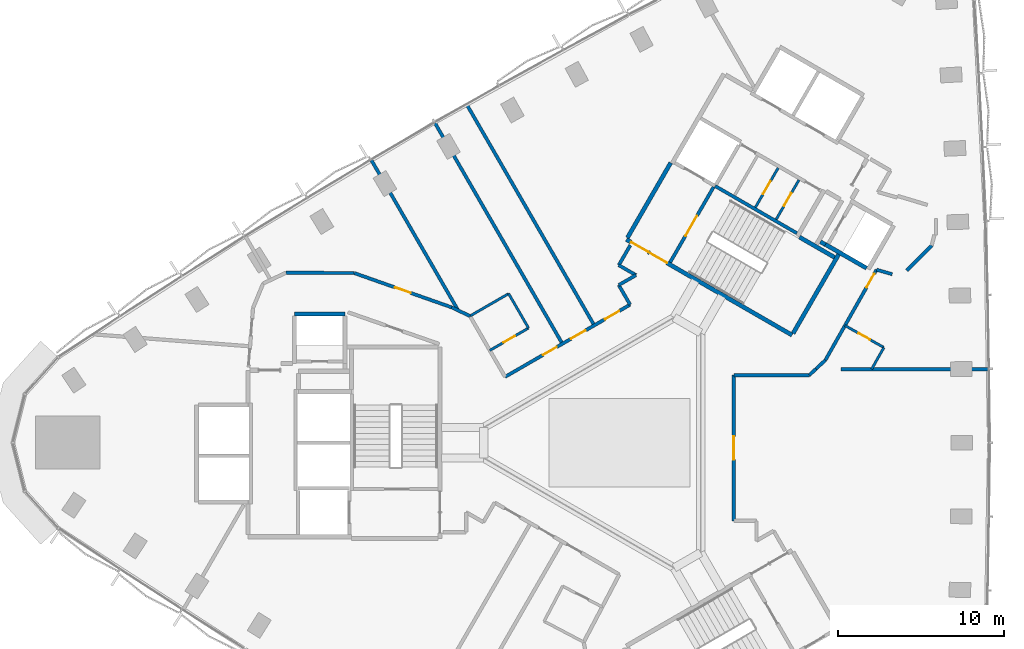
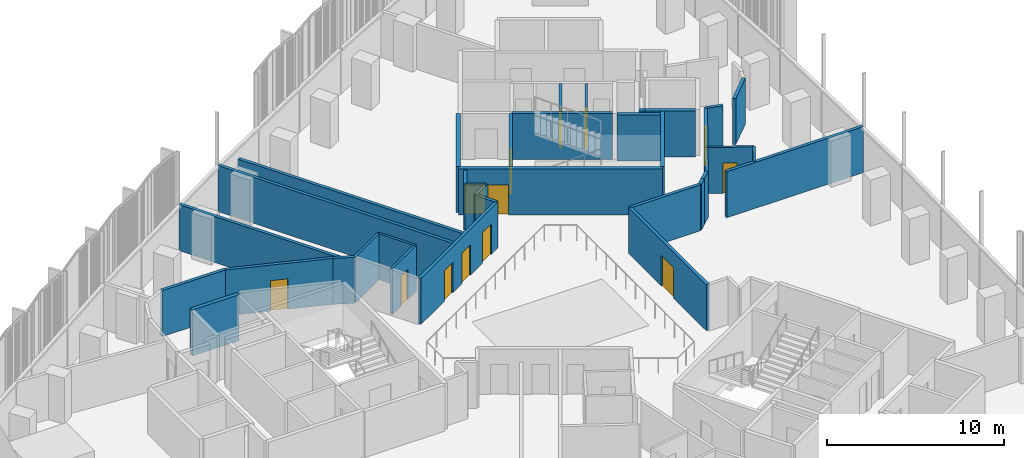
# One storey, part 10 of 15: 35 walls, 13 doors, 13 openings.
"""IFC4 building model written with IfcOpenShell, lengths in metres."""

import ifcopenshell
import ifcopenshell.guid

model = None  # the IFC model being written
_history = None  # IfcOwnerHistory: only IFC2X3 demands one
_inside = {}  # id of a spatial element -> (the spatial element, [elements in it])
_under = {}  # id of a project, library or spatial element -> (it, [spatial elements below it])
_declared = {}  # id of a project -> (the project, [libraries it declares])
_typed = {}  # id of a type object -> (the type object, [elements of that type])
_made_of = {}  # id of a material, layer set ... -> (it, [elements and type objects made of it])


def new_model(schema):
    """Start an empty IFC model of exactly this schema.

    Asked for "IFC4X3", IfcOpenShell would pick the latest addendum, in which some entities
    have other attributes; the version numbers below select the first issue.
    IFC2X3 requires an IfcOwnerHistory on every rooted entity: one is made here for all.
    """
    global model, _history
    if schema == "IFC4X3":
        model = ifcopenshell.file(schema_version=(4, 3, 0, 0))
    else:
        model = ifcopenshell.file(schema=schema)
    _inside.clear()
    _under.clear()
    _declared.clear()
    _typed.clear()
    _made_of.clear()
    _history = None
    if model.schema == "IFC2X3":
        org = make("IfcOrganization", Name="unknown")
        user = make(
            "IfcPersonAndOrganization",
            ThePerson=make("IfcPerson", FamilyName="unknown"),
            TheOrganization=org,
        )
        app = make(
            "IfcApplication",
            ApplicationDeveloper=org,
            Version="unknown",
            ApplicationFullName="unknown",
            ApplicationIdentifier="unknown",
        )
        _history = make(
            "IfcOwnerHistory",
            OwningUser=user,
            OwningApplication=app,
            ChangeAction="ADDED",
            CreationDate=0,
        )
    return model


def make(cls, **values):
    """One entity of the class cls with the attributes given. An attribute that is None is left unset."""
    return model.create_entity(
        cls, **{name: value for name, value in values.items() if value is not None}
    )


def rooted(cls, **values):
    """An entity with a GlobalId (a new one), such as an element, a storey or a relation."""
    return make(cls, GlobalId=ifcopenshell.guid.new(), OwnerHistory=_history, **values)


def si_unit(unit_type, name, prefix=None):
    """IfcSIUnit, for example si_unit("LENGTHUNIT", "METRE", prefix="MILLI")."""
    return make("IfcSIUnit", UnitType=unit_type, Prefix=prefix, Name=name)


def assignment(units):
    """IfcUnitAssignment: the units of a project."""
    return None if units is None else make("IfcUnitAssignment", Units=units)


def point(xyz):
    """IfcCartesianPoint."""
    return None if xyz is None else make("IfcCartesianPoint", Coordinates=xyz)


def direction(xyz):
    """IfcDirection."""
    return None if xyz is None else make("IfcDirection", DirectionRatios=xyz)


def frame(location, z_axis=None, x_axis=None):
    """IfcAxis2Placement3D, a coordinate frame: its origin and axes. An axis left out is left unset."""
    return make(
        "IfcAxis2Placement3D",
        Location=point(location),
        Axis=direction(z_axis),
        RefDirection=direction(x_axis),
    )


def frame_2d(location, x_axis=None):
    """IfcAxis2Placement2D, a coordinate frame in the plane: its origin and x axis."""
    return make(
        "IfcAxis2Placement2D", Location=point(location), RefDirection=direction(x_axis)
    )


def origin():
    """The frame at (0, 0, 0) with its axes left unset."""
    return frame((0.0, 0.0, 0.0))


def place(relative_to, where):
    """IfcLocalPlacement: puts the frame where relative to a parent placement (None: the world)."""
    return make(
        "IfcLocalPlacement", PlacementRelTo=relative_to, RelativePlacement=where
    )


def context(
    kind, dimensions, precision=None, world=None, true_north=None, identifier=None
):
    """IfcGeometricRepresentationContext, for example the 3D "Model" context."""
    return make(
        "IfcGeometricRepresentationContext",
        ContextIdentifier=identifier,
        ContextType=kind,
        CoordinateSpaceDimension=dimensions,
        Precision=precision,
        WorldCoordinateSystem=world,
        TrueNorth=true_north,
    )


def subcontext(parent, identifier, kind, view, scale=None):
    """IfcGeometricRepresentationSubContext, for example "Body" below "Model"."""
    return make(
        "IfcGeometricRepresentationSubContext",
        ContextIdentifier=identifier,
        ContextType=kind,
        ParentContext=parent,
        TargetScale=scale,
        TargetView=view,
    )


def project(units=None, contexts=None):
    """IfcProject with its units and contexts."""
    return rooted(
        "IfcProject",
        Name="project",
        RepresentationContexts=contexts,
        UnitsInContext=assignment(units),
    )


def spatial(cls, under=None, at=None, **own):
    """A site, building, storey or space (cls), placed at a placement, below another one or the project."""
    s = rooted(cls, ObjectPlacement=at, **own)
    if under is not None:
        _under.setdefault(under.id(), (under, []))[1].append(s)
    return s


def profile(cls, at=None, kind="AREA", **sizes):
    """A parametric profile (cls). Its sizes go by their IFC names, for example OverallWidth=200.0."""
    return make(cls, ProfileType=kind, Position=at, **sizes)


def rectangle(**sizes):
    """IfcRectangleProfileDef."""
    return profile("IfcRectangleProfileDef", **sizes)


def extrude(swept, where, along, depth):
    """IfcExtrudedAreaSolid: the profile swept, set in the frame where, extruded along a direction by depth."""
    return make(
        "IfcExtrudedAreaSolid",
        SweptArea=swept,
        Position=where,
        ExtrudedDirection=direction(along),
        Depth=depth,
    )


def shape(context_of_items, identifier, shape_type, items):
    """IfcShapeRepresentation: the items that make up one representation, for example the "Body"."""
    return make(
        "IfcShapeRepresentation",
        ContextOfItems=context_of_items,
        RepresentationIdentifier=identifier,
        RepresentationType=shape_type,
        Items=items,
    )


def material(Name=None, Category=None):
    """IfcMaterial."""
    return make("IfcMaterial", Name=Name, Category=Category)


def layer(
    of_material, thickness, ventilated=None, Name=None, Category=None, Priority=None
):
    """IfcMaterialLayer: one layer of a wall or slab, of a material (None: an air gap)."""
    return make(
        "IfcMaterialLayer",
        Material=of_material,
        LayerThickness=thickness,
        IsVentilated=ventilated,
        Name=Name,
        Category=Category,
        Priority=Priority,
    )


def layer_set(layers, Name=None):
    """IfcMaterialLayerSet."""
    return make("IfcMaterialLayerSet", MaterialLayers=layers, LayerSetName=Name)


def made_of(thing, what):
    """Note that an element or type object is made of a material, layer set ...; save() writes the relation."""
    if what is not None:
        _made_of.setdefault(what.id(), (what, []))[1].append(thing)
    return thing


def type_object(cls, material=None, **own):
    """A type object (cls), such as IfcWallType, which elements share."""
    return made_of(rooted(cls, **own), material)


def element(
    cls,
    number,
    at=None,
    inside=None,
    cuts=None,
    type_object=None,
    material=None,
    context=None,
    identifier="Body",
    shape_type=None,
    held_by="IfcProductDefinitionShape",
    body=None,
    shapes=None,
    **own,
):
    """One element of the class cls, such as IfcWall. Its Tag is "e" and its number.

    at: its placement. inside: the storey or other place that contains it. cuts: it is an
    opening in that element (IfcRelVoidsElement). A single representation is given by context,
    identifier, shape_type and body (its items); several are given by shapes. held_by: the class
    of the entity that holds the representations. save() writes the other relations.
    """
    e = rooted(cls, Tag="e%d" % number, ObjectPlacement=at, **own)
    if body is not None:
        shapes = [shape(context, identifier, shape_type, body)]
    if shapes is not None:
        e.Representation = make(held_by, Representations=shapes)
    if inside is not None:
        _inside.setdefault(inside.id(), (inside, []))[1].append(e)
    if cuts is not None:
        rooted(
            "IfcRelVoidsElement", RelatingBuildingElement=cuts, RelatedOpeningElement=e
        )
    if type_object is not None:
        _typed.setdefault(type_object.id(), (type_object, []))[1].append(e)
    return made_of(e, material)


def fill(opening, filler):
    """IfcRelFillsElement: the door or window that sits in an opening."""
    return rooted(
        "IfcRelFillsElement",
        RelatingOpeningElement=opening,
        RelatedBuildingElement=filler,
    )


def aggregate(whole, parts):
    """IfcRelAggregates: a whole, such as a stair, and the parts it consists of."""
    return rooted("IfcRelAggregates", RelatingObject=whole, RelatedObjects=parts)


def save(model, path):
    """Write the relations noted so far, then the file.

    IfcRelAggregates (storeys below a building ...), IfcRelContainedInSpatialStructure (elements
    in a storey), IfcRelDefinesByType, IfcRelAssociatesMaterial and IfcRelDeclares: one each for
    every whole, place, type object, material and project.
    """
    for whole, parts in _under.values():
        aggregate(whole, parts)
    for where, things in _inside.values():
        rooted(
            "IfcRelContainedInSpatialStructure",
            RelatedElements=things,
            RelatingStructure=where,
        )
    for kind, things in _typed.values():
        rooted("IfcRelDefinesByType", RelatedObjects=things, RelatingType=kind)
    for what, things in _made_of.values():
        rooted("IfcRelAssociatesMaterial", RelatedObjects=things, RelatingMaterial=what)
    for by, libraries in _declared.values():
        rooted("IfcRelDeclares", RelatingContext=by, RelatedDefinitions=libraries)
    model.write(path)


model = new_model("IFC4")

# Units and contexts
model_context = context("Model", 3, precision=1e-05, world=origin(), true_north=direction((0.0, 1.0)))
body_context = subcontext(model_context, "Body", "Model", "MODEL_VIEW")
ifc_project = project(units=[si_unit("LENGTHUNIT", "METRE"), si_unit("AREAUNIT", "SQUARE_METRE"), si_unit("VOLUMEUNIT", "CUBIC_METRE"), si_unit("PLANEANGLEUNIT", "RADIAN"), si_unit("MASSUNIT", "GRAM", prefix="KILO")], contexts=[model_context])

# Site, building, storey
site_placement = place(None, origin())
site = spatial("IfcSite", under=ifc_project, at=site_placement, CompositionType="ELEMENT")
building_placement = place(site_placement, origin())
building = spatial("IfcBuilding", under=site, at=building_placement, Name="Tamra Quay Hotel Tower", CompositionType="ELEMENT")
storey_placement = place(building_placement, frame((0.0, 0.0, 79.39990234375)))
storey = spatial("IfcBuildingStorey", under=building, at=storey_placement, Name="L18", CompositionType="ELEMENT", Elevation=79.39990234375)

# Wall
ifc_material_1 = material(Name="Concrete M70", Category="concrete")
ifc_layer_1 = layer(ifc_material_1, 0.199951171875)
ifc_layer_set_1 = layer_set([ifc_layer_1], Name="Concrete M70 core wall 200")
wall_type_1 = type_object("IfcWallType", Name="Concrete M70 core wall 200", PredefinedType="SHEAR", material=ifc_layer_set_1)
wall_1_placement = place(storey_placement, frame((5.774658203125, 15.501953125, 0.0), z_axis=(0.0, 0.0, 1.0), x_axis=(0.866020080793, -0.500009219579, 0.0)))
element("IfcWall", 1, at=wall_1_placement, inside=storey, type_object=wall_type_1, Name="CW2", PredefinedType="SHEAR", context=body_context, shape_type="SweptSolid", body=[
    extrude(rectangle(XDim=5.69921875, YDim=0.199951171875, at=frame_2d((2.849609375, 0.0))), origin(), (0.0, 0.0, 1.0), 3.175048828125),
])

# Wall, opening, door
wall_2_placement = place(storey_placement, frame((3.056640625, 10.89453125, 0.0), z_axis=(0.0, 0.0, 1.0), x_axis=(0.499989418164, 0.866031513124, 0.0)))
wall_2 = element("IfcWall", 2, at=wall_2_placement, inside=storey, type_object=wall_type_1, Name="CW2", PredefinedType="SHEAR", context=body_context, shape_type="SweptSolid", body=[
    extrude(rectangle(XDim=5.2509765625, YDim=0.199951171875, at=frame_2d((2.62548828125, 0.0))), origin(), (0.0, 0.0, 1.0), 3.175048828125),
])
opening_1_placement = place(wall_2_placement, frame((1.84912109375, 0.0, 0.0)))
opening_1 = element("IfcOpeningElement", 3, at=opening_1_placement, cuts=wall_2, Name="Opening FD2", PredefinedType="OPENING", context=body_context, shape_type="SweptSolid", body=[
    extrude(rectangle(XDim=1.39990234375, YDim=2.10009765625, at=frame_2d((0.699951171875, 1.050048828125))), frame((0.0, 0.10986328125, 0.0), z_axis=(0.0, -1.0, 0.0), x_axis=(1.0, 0.0, 0.0)), (0.0, 0.0, 1.0), 0.219970703125),
])
ifc_material_2 = material(Name="Core door FD2 1400x2100 RH")
door_type_1 = type_object("IfcDoorType", Name="Core door FD2 1400x2100 RH", OperationType="NOTDEFINED", PredefinedType="DOOR", material=ifc_material_2)
door_1_placement = place(opening_1_placement, origin())
door_1 = element("IfcDoor", 4, at=door_1_placement, inside=storey, type_object=door_type_1, Name="FD2", OperationType="SINGLE_SWING_RIGHT", OverallHeight=2.10009765625, OverallWidth=1.39990234375, PredefinedType="DOOR", context=body_context, shape_type="SweptSolid", body=[
    extrude(rectangle(XDim=1.39990234375, YDim=2.10009765625, at=frame_2d((0.699951171875, 1.050048828125))), frame((0.0, 0.02490234375, 0.0), z_axis=(0.0, -1.0, 0.0), x_axis=(1.0, 0.0, 0.0)), (0.0, 0.0, 1.0), 0.050048828125),
])
fill(opening_1, door_1)

# Wall
ifc_layer_2 = layer(ifc_material_1, 0.25)
ifc_layer_set_2 = layer_set([ifc_layer_2], Name="Concrete M70 core wall 250")
wall_type_2 = type_object("IfcWallType", Name="Concrete M70 core wall 250", PredefinedType="SHEAR", material=ifc_layer_set_2)
wall_3_placement = place(storey_placement, frame((-19.63720703125, 7.77490234375, 0.0), z_axis=(0.0, 0.0, 1.0), x_axis=(1.0, 0.0, 0.0)))
element("IfcWall", 5, at=wall_3_placement, inside=storey, type_object=wall_type_2, Name="CW1", PredefinedType="SHEAR", context=body_context, shape_type="SweptSolid", body=[
    extrude(rectangle(XDim=3.0498046875, YDim=0.25, at=frame_2d((1.52490234375, 0.0))), origin(), (0.0, 0.0, 1.0), 3.175048828125),
])

# Wall, openings, doors
wall_4_placement = place(storey_placement, frame((10.419921875, 6.497802734375, 0.0), z_axis=(0.0, 0.0, 1.0), x_axis=(-0.866021906294, 0.500006057782, 0.0)))
wall_4 = element("IfcWall", 6, at=wall_4_placement, inside=storey, type_object=wall_type_2, Name="CW1", PredefinedType="SHEAR", context=body_context, shape_type="SweptSolid", body=[
    extrude(rectangle(XDim=11.550048828125, YDim=0.25, at=frame_2d((5.77490234375, 0.0))), origin(), (0.0, 0.0, 1.0), 3.175048828125),
])
opening_2_placement = place(wall_4_placement, frame((10.02490234375, 0.0, 0.0)))
opening_2 = element("IfcOpeningElement", 7, at=opening_2_placement, cuts=wall_4, Name="Opening FD1", PredefinedType="OPENING", context=body_context, shape_type="SweptSolid", body=[
    extrude(rectangle(XDim=1.199951171875, YDim=2.10009765625, at=frame_2d((0.60009765625, 1.050048828125))), frame((0.0, 0.135009765625, 0.0), z_axis=(0.0, -1.0, 0.0), x_axis=(1.0, 0.0, 0.0)), (0.0, 0.0, 1.0), 0.27001953125),
])
opening_3_placement = place(wall_4_placement, frame((8.724853515625, 0.0, 0.0)))
opening_3 = element("IfcOpeningElement", 8, at=opening_3_placement, cuts=wall_4, Name="Opening FD1", PredefinedType="OPENING", context=body_context, shape_type="SweptSolid", body=[
    extrude(rectangle(XDim=1.199951171875, YDim=2.10009765625, at=frame_2d((0.60009765625, 1.050048828125))), frame((0.0, 0.135009765625, 0.0), z_axis=(0.0, -1.0, 0.0), x_axis=(1.0, 0.0, 0.0)), (0.0, 0.0, 1.0), 0.27001953125),
])
ifc_material_3 = material(Name="Core door FD1 1200x2100 LH")
door_type_2 = type_object("IfcDoorType", Name="Core door FD1 1200x2100 LH", OperationType="NOTDEFINED", PredefinedType="DOOR", material=ifc_material_3)
door_2_placement = place(opening_2_placement, origin())
door_2 = element("IfcDoor", 9, at=door_2_placement, inside=storey, type_object=door_type_2, Name="FD1", OperationType="SINGLE_SWING_LEFT", OverallHeight=2.10009765625, OverallWidth=1.199951171875, PredefinedType="DOOR", context=body_context, shape_type="SweptSolid", body=[
    extrude(rectangle(XDim=1.199951171875, YDim=2.10009765625, at=frame_2d((0.60009765625, 1.050048828125))), frame((0.0, 0.02490234375, 0.0), z_axis=(0.0, -1.0, 0.0), x_axis=(1.0, 0.0, 0.0)), (0.0, 0.0, 1.0), 0.050048828125),
])
fill(opening_2, door_2)
ifc_material_4 = material(Name="Core door FD1 1200x2100 RH")
door_type_3 = type_object("IfcDoorType", Name="Core door FD1 1200x2100 RH", OperationType="NOTDEFINED", PredefinedType="DOOR", material=ifc_material_4)
door_3_placement = place(opening_3_placement, origin())
door_3 = element("IfcDoor", 10, at=door_3_placement, inside=storey, type_object=door_type_3, Name="FD1", OperationType="SINGLE_SWING_RIGHT", OverallHeight=2.10009765625, OverallWidth=1.199951171875, PredefinedType="DOOR", context=body_context, shape_type="SweptSolid", body=[
    extrude(rectangle(XDim=1.199951171875, YDim=2.10009765625, at=frame_2d((0.60009765625, 1.050048828125))), frame((0.0, 0.02490234375, 0.0), z_axis=(0.0, -1.0, 0.0), x_axis=(1.0, 0.0, 0.0)), (0.0, 0.0, 1.0), 0.050048828125),
])
fill(opening_3, door_3)

# Walls
wall_5_placement = place(storey_placement, frame((0.47998046875, 12.38134765625, 0.0), z_axis=(0.0, 0.0, 1.0), x_axis=(0.49999885962, 0.866026062182, 0.0)))
element("IfcWall", 11, at=wall_5_placement, inside=storey, type_object=wall_type_2, Name="CW1", PredefinedType="SHEAR", context=body_context, shape_type="SweptSolid", body=[
    extrude(rectangle(XDim=5.224609375, YDim=0.25, at=frame_2d((2.6123046875, 0.0))), origin(), (0.0, 0.0, 1.0), 3.175048828125),
])
wall_6_placement = place(storey_placement, frame((13.237548828125, 11.3779296875, 0.0), z_axis=(0.0, 0.0, 1.0), x_axis=(-0.500008851346, -0.866020293397, 0.0)))
element("IfcWall", 12, at=wall_6_placement, inside=storey, type_object=wall_type_2, Name="CW1", PredefinedType="SHEAR", context=body_context, shape_type="SweptSolid", body=[
    extrude(rectangle(XDim=5.509765625, YDim=0.25, at=frame_2d((2.7548828125, 0.0))), origin(), (0.0, 0.0, 1.0), 3.175048828125),
])
wall_7_placement = place(storey_placement, frame((14.91845703125, 10.540283203125, 0.0), z_axis=(0.0, 0.0, 1.0), x_axis=(-0.866063538972, 0.499933942099, 0.0)))
element("IfcWall", 13, at=wall_7_placement, inside=storey, type_object=wall_type_2, Name="CW1", PredefinedType="SHEAR", context=body_context, shape_type="SweptSolid", body=[
    extrude(rectangle(XDim=2.86474609375, YDim=0.25, at=frame_2d((1.432373046875, 0.0))), origin(), (0.0, 0.0, 1.0), 3.175048828125),
])
wall_8_placement = place(storey_placement, frame((10.865234375, 12.41845703125, 0.0), z_axis=(0.0, 0.0, 1.0), x_axis=(0.866026229868, -0.499998569178, 0.0)))
element("IfcWall", 14, at=wall_8_placement, inside=storey, type_object=wall_type_2, Name="CW1", PredefinedType="SHEAR", context=body_context, shape_type="SweptSolid", body=[
    extrude(rectangle(XDim=2.44921875, YDim=0.25, at=frame_2d((1.224609375, 0.0))), origin(), (0.0, 0.0, 1.0), 3.175048828125),
])
wall_9_placement = place(storey_placement, frame((12.4326171875, 11.9638671875, 0.0), z_axis=(0.0, 0.0, 1.0), x_axis=(-0.866055875208, 0.499947218231, 0.0)))
element("IfcWall", 15, at=wall_9_placement, inside=storey, type_object=wall_type_2, Name="CW1", PredefinedType="SHEAR", context=body_context, shape_type="SweptSolid", body=[
    extrude(rectangle(XDim=0.3447265625, YDim=0.25, at=frame_2d((0.17236328125, 0.0))), origin(), (0.0, 0.0, 1.0), 3.175048828125),
])

# Wall, opening, door
ifc_material_5 = material(Name="Blockwork", Category="masonry")
ifc_layer_3 = layer(ifc_material_5, 0.14990234375)
ifc_layer_set_3 = layer_set([ifc_layer_3], Name="Core partition block 150")
wall_type_3 = type_object("IfcWallType", Name="Core partition block 150", PredefinedType="PARTITIONING", material=ifc_layer_set_3)
wall_10_placement = place(storey_placement, frame((9.462158203125, 13.4892578125, 0.0), z_axis=(0.0, 0.0, 1.0), x_axis=(0.50002746344, 0.86600954718, 0.0)))
wall_10 = element("IfcWall", 16, at=wall_10_placement, inside=storey, type_object=wall_type_3, Name="CP1", PredefinedType="PARTITIONING", context=body_context, shape_type="SweptSolid", body=[
    extrude(rectangle(XDim=2.748291015625, YDim=0.14990234375, at=frame_2d((1.3740234375, 0.0))), origin(), (0.0, 0.0, 1.0), 3.175048828125),
])
opening_4_placement = place(wall_10_placement, frame((0.92431640625, 0.0, 0.0)))
opening_4 = element("IfcOpeningElement", 17, at=opening_4_placement, cuts=wall_10, Name="Opening D2", PredefinedType="OPENING", context=body_context, shape_type="SweptSolid", body=[
    extrude(rectangle(XDim=0.89990234375, YDim=2.10009765625, at=frame_2d((0.449951171875, 1.050048828125))), frame((0.0, 0.0849609375, 0.0), z_axis=(0.0, -1.0, 0.0), x_axis=(1.0, 0.0, 0.0)), (0.0, 0.0, 1.0), 0.169921875),
])
ifc_material_6 = material(Name="Core door D2 900x2100 RH")
door_type_4 = type_object("IfcDoorType", Name="Core door D2 900x2100 RH", OperationType="NOTDEFINED", PredefinedType="DOOR", material=ifc_material_6)
door_4_placement = place(opening_4_placement, origin())
door_4 = element("IfcDoor", 18, at=door_4_placement, inside=storey, type_object=door_type_4, Name="D2", OperationType="SINGLE_SWING_RIGHT", OverallHeight=2.10009765625, OverallWidth=0.89990234375, PredefinedType="DOOR", context=body_context, shape_type="SweptSolid", body=[
    extrude(rectangle(XDim=0.89990234375, YDim=2.10009765625, at=frame_2d((0.449951171875, 1.050048828125))), frame((0.0, 0.02490234375, 0.0), z_axis=(0.0, -1.0, 0.0), x_axis=(1.0, 0.0, 0.0)), (0.0, 0.0, 1.0), 0.050048828125),
])
fill(opening_4, door_4)

wall_11_placement = place(storey_placement, frame((8.20654296875, 14.214111328125, 0.0), z_axis=(0.0, 0.0, 1.0), x_axis=(0.499922376475, 0.866070215109, 0.0)))
wall_11 = element("IfcWall", 19, at=wall_11_placement, inside=storey, type_object=wall_type_3, Name="CP1", PredefinedType="PARTITIONING", context=body_context, shape_type="SweptSolid", body=[
    extrude(rectangle(XDim=2.74853515625, YDim=0.14990234375, at=frame_2d((1.374267578125, 0.0))), origin(), (0.0, 0.0, 1.0), 3.175048828125),
])
opening_5_placement = place(wall_11_placement, frame((0.92431640625, 0.0, 0.0)))
opening_5 = element("IfcOpeningElement", 20, at=opening_5_placement, cuts=wall_11, Name="Opening D2", PredefinedType="OPENING", context=body_context, shape_type="SweptSolid", body=[
    extrude(rectangle(XDim=0.89990234375, YDim=2.10009765625, at=frame_2d((0.449951171875, 1.050048828125))), frame((0.0, 0.0849609375, 0.0), z_axis=(0.0, -1.0, 0.0), x_axis=(1.0, 0.0, 0.0)), (0.0, 0.0, 1.0), 0.169921875),
])
ifc_material_7 = material(Name="Core door D2 900x2100 LH")
door_type_5 = type_object("IfcDoorType", Name="Core door D2 900x2100 LH", OperationType="NOTDEFINED", PredefinedType="DOOR", material=ifc_material_7)
door_5_placement = place(opening_5_placement, origin())
door_5 = element("IfcDoor", 21, at=door_5_placement, inside=storey, type_object=door_type_5, Name="D2", OperationType="SINGLE_SWING_LEFT", OverallHeight=2.10009765625, OverallWidth=0.89990234375, PredefinedType="DOOR", context=body_context, shape_type="SweptSolid", body=[
    extrude(rectangle(XDim=0.89990234375, YDim=2.10009765625, at=frame_2d((0.449951171875, 1.050048828125))), frame((0.0, 0.02490234375, 0.0), z_axis=(0.0, -1.0, 0.0), x_axis=(1.0, 0.0, 0.0)), (0.0, 0.0, 1.0), 0.050048828125),
])
fill(opening_5, door_5)

# Wall
ifc_material_8 = material(Name="Partition corridor wall")
ifc_layer_4 = layer(ifc_material_8, 0.199951171875)
ifc_layer_set_4 = layer_set([ifc_layer_4], Name="Partition corridor wall")
wall_type_4 = type_object("IfcWallType", Name="Partition corridor wall", PredefinedType="PARTITIONING", material=ifc_layer_set_4)
wall_12_placement = place(storey_placement, frame((-20.14306640625, 10.26611328125, 0.0), z_axis=(0.0, 0.0, 1.0), x_axis=(0.999989297417, -0.004626559416, 0.0)))
element("IfcWall", 22, at=wall_12_placement, inside=storey, type_object=wall_type_4, Name="W-C", PredefinedType="PARTITIONING", context=body_context, shape_type="SweptSolid", body=[
    extrude(rectangle(XDim=4.115966796875, YDim=0.199951171875, at=frame_2d((2.05810546875, 0.0))), origin(), (0.0, 0.0, 1.0), 3.175048828125),
])

# Wall, opening, door
wall_13_placement = place(storey_placement, frame((-16.02587890625, 10.2470703125, 0.0), z_axis=(0.0, 0.0, 1.0), x_axis=(0.943302857381, -0.331933305434, 0.0)))
wall_13 = element("IfcWall", 23, at=wall_13_placement, inside=storey, type_object=wall_type_4, Name="W-C", PredefinedType="PARTITIONING", context=body_context, shape_type="SweptSolid", body=[
    extrude(rectangle(XDim=6.236328125, YDim=0.199951171875, at=frame_2d((3.1181640625, 0.0))), origin(), (0.0, 0.0, 1.0), 3.175048828125),
])
opening_6_placement = place(wall_13_placement, frame((2.618408203125, 0.0, 0.0)))
opening_6 = element("IfcOpeningElement", 24, at=opening_6_placement, cuts=wall_13, Name="Opening L18-D009", PredefinedType="OPENING", context=body_context, shape_type="SweptSolid", body=[
    extrude(rectangle(XDim=1.0, YDim=2.10009765625, at=frame_2d((0.5, 1.050048828125))), frame((0.0, 0.10986328125, 0.0), z_axis=(0.0, -1.0, 0.0), x_axis=(1.0, 0.0, 0.0)), (0.0, 0.0, 1.0), 0.219970703125),
])
ifc_material_9 = material(Name="Door guest room 1000x2100")
door_type_6 = type_object("IfcDoorType", Name="Door guest room 1000x2100", OperationType="NOTDEFINED", PredefinedType="DOOR", material=ifc_material_9)
door_6_placement = place(opening_6_placement, origin())
door_6 = element("IfcDoor", 25, at=door_6_placement, inside=storey, type_object=door_type_6, Name="L18-D009", OperationType="SINGLE_SWING_LEFT", OverallHeight=2.10009765625, OverallWidth=1.0, PredefinedType="DOOR", context=body_context, shape_type="SweptSolid", body=[
    extrude(rectangle(XDim=1.0, YDim=2.10009765625, at=frame_2d((0.5, 1.050048828125))), frame((0.0, 0.02490234375, 0.0), z_axis=(0.0, -1.0, 0.0), x_axis=(1.0, 0.0, 0.0)), (0.0, 0.0, 1.0), 0.050048828125),
])
fill(opening_6, door_6)

# Wall
wall_14_placement = place(storey_placement, frame((-10.14306640625, 8.1767578125, 0.0), z_axis=(0.0, 0.0, 1.0), x_axis=(0.904109978004, -0.427299833458, 0.0)))
element("IfcWall", 26, at=wall_14_placement, inside=storey, type_object=wall_type_4, Name="W-C", PredefinedType="PARTITIONING", context=body_context, shape_type="SweptSolid", body=[
    extrude(rectangle(XDim=1.227783203125, YDim=0.199951171875, at=frame_2d((0.61376953125, 0.0))), origin(), (0.0, 0.0, 1.0), 3.175048828125),
])

# Wall, openings, doors
wall_15_placement = place(storey_placement, frame((-6.9111328125, 3.977294921875, 0.0), z_axis=(0.0, 0.0, 1.0), x_axis=(0.86601303132, 0.500021429124, 0.0)))
wall_15 = element("IfcWall", 27, at=wall_15_placement, inside=storey, type_object=wall_type_4, Name="W-C", PredefinedType="PARTITIONING", context=body_context, shape_type="SweptSolid", body=[
    extrude(rectangle(XDim=8.7177734375, YDim=0.199951171875, at=frame_2d((4.35888671875, 0.0))), origin(), (0.0, 0.0, 1.0), 3.175048828125),
])
opening_7_placement = place(wall_15_placement, frame((4.608154296875, 0.0, 0.0)))
opening_7 = element("IfcOpeningElement", 28, at=opening_7_placement, cuts=wall_15, Name="Opening L18-D004", PredefinedType="OPENING", context=body_context, shape_type="SweptSolid", body=[
    extrude(rectangle(XDim=1.0, YDim=2.10009765625, at=frame_2d((0.5, 1.050048828125))), frame((0.0, 0.10986328125, 0.0), z_axis=(0.0, -1.0, 0.0), x_axis=(1.0, 0.0, 0.0)), (0.0, 0.0, 1.0), 0.219970703125),
])
opening_8_placement = place(wall_15_placement, frame((6.96240234375, 0.0, 0.0)))
opening_8 = element("IfcOpeningElement", 29, at=opening_8_placement, cuts=wall_15, Name="Opening L18-D005", PredefinedType="OPENING", context=body_context, shape_type="SweptSolid", body=[
    extrude(rectangle(XDim=1.0, YDim=2.10009765625, at=frame_2d((0.5, 1.050048828125))), frame((0.0, 0.10986328125, 0.0), z_axis=(0.0, -1.0, 0.0), x_axis=(1.0, 0.0, 0.0)), (0.0, 0.0, 1.0), 0.219970703125),
])
opening_9_placement = place(wall_15_placement, frame((2.64990234375, 0.0, 0.0)))
opening_9 = element("IfcOpeningElement", 30, at=opening_9_placement, cuts=wall_15, Name="Opening L18-D006", PredefinedType="OPENING", context=body_context, shape_type="SweptSolid", body=[
    extrude(rectangle(XDim=0.949951171875, YDim=2.10009765625, at=frame_2d((0.47509765625, 1.050048828125))), frame((0.0, 0.10986328125, 0.0), z_axis=(0.0, -1.0, 0.0), x_axis=(1.0, 0.0, 0.0)), (0.0, 0.0, 1.0), 0.219970703125),
])
door_7_placement = place(opening_7_placement, origin())
door_7 = element("IfcDoor", 31, at=door_7_placement, inside=storey, type_object=door_type_6, Name="L18-D004", OperationType="SINGLE_SWING_LEFT", OverallHeight=2.10009765625, OverallWidth=1.0, PredefinedType="DOOR", context=body_context, shape_type="SweptSolid", body=[
    extrude(rectangle(XDim=1.0, YDim=2.10009765625, at=frame_2d((0.5, 1.050048828125))), frame((0.0, 0.02490234375, 0.0), z_axis=(0.0, -1.0, 0.0), x_axis=(1.0, 0.0, 0.0)), (0.0, 0.0, 1.0), 0.050048828125),
])
fill(opening_7, door_7)
door_8_placement = place(opening_8_placement, origin())
door_8 = element("IfcDoor", 32, at=door_8_placement, inside=storey, type_object=door_type_6, Name="L18-D005", OperationType="SINGLE_SWING_LEFT", OverallHeight=2.10009765625, OverallWidth=1.0, PredefinedType="DOOR", context=body_context, shape_type="SweptSolid", body=[
    extrude(rectangle(XDim=1.0, YDim=2.10009765625, at=frame_2d((0.5, 1.050048828125))), frame((0.0, 0.02490234375, 0.0), z_axis=(0.0, -1.0, 0.0), x_axis=(1.0, 0.0, 0.0)), (0.0, 0.0, 1.0), 0.050048828125),
])
fill(opening_8, door_8)
ifc_material_10 = material(Name="Door guest room 950x2100")
door_type_7 = type_object("IfcDoorType", Name="Door guest room 950x2100", OperationType="NOTDEFINED", PredefinedType="DOOR", material=ifc_material_10)
door_9_placement = place(opening_9_placement, origin())
door_9 = element("IfcDoor", 33, at=door_9_placement, inside=storey, type_object=door_type_7, Name="L18-D006", OperationType="SINGLE_SWING_LEFT", OverallHeight=2.10009765625, OverallWidth=0.949951171875, PredefinedType="DOOR", context=body_context, shape_type="SweptSolid", body=[
    extrude(rectangle(XDim=0.949951171875, YDim=2.10009765625, at=frame_2d((0.47509765625, 1.050048828125))), frame((0.0, 0.02490234375, 0.0), z_axis=(0.0, -1.0, 0.0), x_axis=(1.0, 0.0, 0.0)), (0.0, 0.0, 1.0), 0.050048828125),
])
fill(opening_9, door_9)

# Walls
wall_16_placement = place(storey_placement, frame((-0.044921875, 9.52099609375, 0.0), z_axis=(0.0, 0.0, 1.0), x_axis=(0.499804837697, -0.866138051476, 0.0)))
element("IfcWall", 34, at=wall_16_placement, inside=storey, type_object=wall_type_4, Name="W-C", PredefinedType="PARTITIONING", context=body_context, shape_type="SweptSolid", body=[
    extrude(rectangle(XDim=1.3681640625, YDim=0.199951171875, at=frame_2d((0.68408203125, 0.0))), origin(), (0.0, 0.0, 1.0), 3.175048828125),
])
wall_17_placement = place(storey_placement, frame((-0.044921875, 9.52197265625, 0.0), z_axis=(0.0, 0.0, 1.0), x_axis=(0.86625675314, 0.499599076899, 0.0)))
element("IfcWall", 35, at=wall_17_placement, inside=storey, type_object=wall_type_4, Name="W-C", PredefinedType="PARTITIONING", context=body_context, shape_type="SweptSolid", body=[
    extrude(rectangle(XDim=1.19921875, YDim=0.199951171875, at=frame_2d((0.599609375, 0.0))), origin(), (0.0, 0.0, 1.0), 3.175048828125),
])
wall_18_placement = place(storey_placement, frame((-0.044921875, 10.721923828125, 0.0), z_axis=(0.0, 0.0, 1.0), x_axis=(0.500107785535, 0.865963164833, 0.0)))
element("IfcWall", 36, at=wall_18_placement, inside=storey, type_object=wall_type_4, Name="W-C", PredefinedType="PARTITIONING", context=body_context, shape_type="SweptSolid", body=[
    extrude(rectangle(XDim=1.389404296875, YDim=0.199951171875, at=frame_2d((0.69482421875, 0.0))), origin(), (0.0, 0.0, 1.0), 3.175048828125),
])
wall_19_placement = place(storey_placement, frame((-0.044921875, 10.720947265625, 0.0), z_axis=(0.0, 0.0, 1.0), x_axis=(0.865992388649, -0.500057179532, 0.0)))
element("IfcWall", 37, at=wall_19_placement, inside=storey, type_object=wall_type_4, Name="W-C", PredefinedType="PARTITIONING", context=body_context, shape_type="SweptSolid", body=[
    extrude(rectangle(XDim=1.199462890625, YDim=0.199951171875, at=frame_2d((0.599609375, 0.0))), origin(), (0.0, 0.0, 1.0), 3.175048828125),
])

# Wall, opening, door
wall_20_placement = place(storey_placement, frame((6.89990234375, -4.720947265625, 0.0), z_axis=(0.0, 0.0, 1.0), x_axis=(0.0, 1.0, 0.0)))
wall_20 = element("IfcWall", 38, at=wall_20_placement, inside=storey, type_object=wall_type_4, Name="W-C", PredefinedType="PARTITIONING", context=body_context, shape_type="SweptSolid", body=[
    extrude(rectangle(XDim=8.798828125, YDim=0.199951171875, at=frame_2d((4.3994140625, 0.0))), origin(), (0.0, 0.0, 1.0), 3.175048828125),
])
opening_10_placement = place(wall_20_placement, frame((3.699462890625, 0.0, 0.0)))
opening_10 = element("IfcOpeningElement", 39, at=opening_10_placement, cuts=wall_20, Name="Opening L18-D001", PredefinedType="OPENING", context=body_context, shape_type="SweptSolid", body=[
    extrude(rectangle(XDim=1.39990234375, YDim=2.10009765625, at=frame_2d((0.699951171875, 1.050048828125))), frame((0.0, 0.10986328125, 0.0), z_axis=(0.0, -1.0, 0.0), x_axis=(1.0, 0.0, 0.0)), (0.0, 0.0, 1.0), 0.219970703125),
])
ifc_material_11 = material(Name="Door double leaf 1400x2100")
door_type_8 = type_object("IfcDoorType", Name="Door double leaf 1400x2100", OperationType="DOUBLE_DOOR_SINGLE_SWING", PredefinedType="DOOR", material=ifc_material_11)
door_10_placement = place(opening_10_placement, frame((1.39990234375, 0.0, 0.0), z_axis=(0.0, 0.0, 1.0), x_axis=(-1.0, 0.0, 0.0)))
door_10 = element("IfcDoor", 40, at=door_10_placement, inside=storey, type_object=door_type_8, Name="L18-D001", OperationType="DOUBLE_DOOR_SINGLE_SWING", OverallHeight=2.10009765625, OverallWidth=1.39990234375, PredefinedType="DOOR", context=body_context, shape_type="SweptSolid", body=[
    extrude(rectangle(XDim=1.39990234375, YDim=2.10009765625, at=frame_2d((0.699951171875, 1.050048828125))), frame((0.0, 0.02490234375, 0.0), z_axis=(0.0, -1.0, 0.0), x_axis=(1.0, 0.0, 0.0)), (0.0, 0.0, 1.0), 0.050048828125),
])
fill(opening_10, door_10)

# Walls
wall_21_placement = place(storey_placement, frame((6.89990234375, 4.077880859375, 0.0), z_axis=(0.0, 0.0, 1.0), x_axis=(1.0, 0.0, 0.0)))
element("IfcWall", 41, at=wall_21_placement, inside=storey, type_object=wall_type_4, Name="W-C", PredefinedType="PARTITIONING", context=body_context, shape_type="SweptSolid", body=[
    extrude(rectangle(XDim=4.55810546875, YDim=0.199951171875, at=frame_2d((2.279052734375, 0.0))), origin(), (0.0, 0.0, 1.0), 3.175048828125),
])
wall_22_placement = place(storey_placement, frame((11.4580078125, 4.077880859375, 0.0), z_axis=(0.0, 0.0, 1.0), x_axis=(0.730044754355, 0.683399339068, 0.0)))
element("IfcWall", 42, at=wall_22_placement, inside=storey, type_object=wall_type_4, Name="W-C", PredefinedType="PARTITIONING", context=body_context, shape_type="SweptSolid", body=[
    extrude(rectangle(XDim=0.5546875, YDim=0.199951171875, at=frame_2d((0.27734375, 0.0))), origin(), (0.0, 0.0, 1.0), 3.175048828125),
])

# Wall, opening, door
wall_23_placement = place(storey_placement, frame((12.43359375, 4.99169921875, 0.0), z_axis=(0.0, 0.0, 1.0), x_axis=(0.492587091186, 0.870263154222, 0.0)))
wall_23 = element("IfcWall", 43, at=wall_23_placement, inside=storey, type_object=wall_type_4, Name="W-C", PredefinedType="PARTITIONING", context=body_context, shape_type="SweptSolid", body=[
    extrude(rectangle(XDim=6.269775390625, YDim=0.199951171875, at=frame_2d((3.134765625, 0.0))), origin(), (0.0, 0.0, 1.0), 3.175048828125),
])
opening_11_placement = place(wall_23_placement, frame((5.0380859375, 0.0, 0.0)))
opening_11 = element("IfcOpeningElement", 44, at=opening_11_placement, cuts=wall_23, Name="Opening L18-D002", PredefinedType="OPENING", context=body_context, shape_type="SweptSolid", body=[
    extrude(rectangle(XDim=0.949951171875, YDim=2.10009765625, at=frame_2d((0.47509765625, 1.050048828125))), frame((0.0, 0.10986328125, 0.0), z_axis=(0.0, -1.0, 0.0), x_axis=(1.0, 0.0, 0.0)), (0.0, 0.0, 1.0), 0.219970703125),
])
door_11_placement = place(opening_11_placement, origin())
door_11 = element("IfcDoor", 45, at=door_11_placement, inside=storey, type_object=door_type_7, Name="L18-D002", OperationType="SINGLE_SWING_LEFT", OverallHeight=2.10009765625, OverallWidth=0.949951171875, PredefinedType="DOOR", context=body_context, shape_type="SweptSolid", body=[
    extrude(rectangle(XDim=0.949951171875, YDim=2.10009765625, at=frame_2d((0.47509765625, 1.050048828125))), frame((0.0, 0.02490234375, 0.0), z_axis=(0.0, -1.0, 0.0), x_axis=(1.0, 0.0, 0.0)), (0.0, 0.0, 1.0), 0.050048828125),
])
fill(opening_11, door_11)

# Walls
wall_24_placement = place(storey_placement, frame((15.52197265625, 10.447998046875, 0.0), z_axis=(0.0, 0.0, 1.0), x_axis=(0.961673491185, -0.274197185164, 0.0)))
element("IfcWall", 46, at=wall_24_placement, inside=storey, type_object=wall_type_4, Name="W-C", PredefinedType="PARTITIONING", context=body_context, shape_type="SweptSolid", body=[
    extrude(rectangle(XDim=0.98486328125, YDim=0.199951171875, at=frame_2d((0.492431640625, 0.0))), origin(), (0.0, 0.0, 1.0), 3.175048828125),
])
wall_25_placement = place(storey_placement, frame((17.35205078125, 10.406982421875, 0.0), z_axis=(0.0, 0.0, 1.0), x_axis=(0.707106781187, 0.707106781187, 0.0)))
element("IfcWall", 47, at=wall_25_placement, inside=storey, type_object=wall_type_4, Name="W-C", PredefinedType="PARTITIONING", context=body_context, shape_type="SweptSolid", body=[
    extrude(rectangle(XDim=2.121337890625, YDim=0.199951171875, at=frame_2d((1.060546875, 0.0))), origin(), (0.0, 0.0, 1.0), 3.175048828125),
])
wall_26_placement = place(storey_placement, frame((12.43359375, 4.99169921875, 0.0), z_axis=(0.0, 0.0, 1.0), x_axis=(-0.730130737703, -0.683307475345, 0.0)))
element("IfcWall", 48, at=wall_26_placement, inside=storey, type_object=wall_type_4, Name="W-C", PredefinedType="PARTITIONING", context=body_context, shape_type="SweptSolid", body=[
    extrude(rectangle(XDim=0.7822265625, YDim=0.199951171875, at=frame_2d((0.39111328125, 0.0))), origin(), (0.0, 0.0, 1.0), 3.175048828125),
])
ifc_material_12 = material(Name="Partition en-suite wall")
ifc_layer_5 = layer(ifc_material_12, 0.14990234375)
ifc_layer_set_5 = layer_set([ifc_layer_5], Name="Partition en-suite wall")
wall_type_5 = type_object("IfcWallType", Name="Partition en-suite wall", PredefinedType="PARTITIONING", material=ifc_layer_set_5)
wall_27_placement = place(storey_placement, frame((-9.032958984375, 7.652099609375, 0.0), z_axis=(0.0, 0.0, 1.0), x_axis=(0.866013897511, 0.50001992892, 0.0)))
element("IfcWall", 49, at=wall_27_placement, inside=storey, type_object=wall_type_5, Name="W-E", PredefinedType="PARTITIONING", context=body_context, shape_type="SweptSolid", body=[
    extrude(rectangle(XDim=2.69970703125, YDim=0.14990234375, at=frame_2d((1.349853515625, 0.0))), origin(), (0.0, 0.0, 1.0), 3.175048828125),
])

# Wall, opening, door
wall_28_placement = place(storey_placement, frame((-7.8330078125, 5.573974609375, 0.0), z_axis=(0.0, 0.0, 1.0), x_axis=(0.865974735705, 0.50008774942, 0.0)))
wall_28 = element("IfcWall", 50, at=wall_28_placement, inside=storey, type_object=wall_type_5, Name="W-E", PredefinedType="PARTITIONING", context=body_context, shape_type="SweptSolid", body=[
    extrude(rectangle(XDim=2.69970703125, YDim=0.14990234375, at=frame_2d((1.349853515625, 0.0))), origin(), (0.0, 0.0, 1.0), 3.175048828125),
])
opening_12_placement = place(wall_28_placement, frame((0.949951171875, 0.0, 0.0)))
opening_12 = element("IfcOpeningElement", 51, at=opening_12_placement, cuts=wall_28, Name="Opening L18-D007", PredefinedType="OPENING", context=body_context, shape_type="SweptSolid", body=[
    extrude(rectangle(XDim=0.800048828125, YDim=2.10009765625, at=frame_2d((0.39990234375, 1.050048828125))), frame((0.0, 0.0849609375, 0.0), z_axis=(0.0, -1.0, 0.0), x_axis=(1.0, 0.0, 0.0)), (0.0, 0.0, 1.0), 0.169921875),
])
ifc_material_13 = material(Name="Door en-suite 800x2100")
door_type_9 = type_object("IfcDoorType", Name="Door en-suite 800x2100", OperationType="NOTDEFINED", PredefinedType="DOOR", material=ifc_material_13)
door_12_placement = place(opening_12_placement, origin())
door_12 = element("IfcDoor", 52, at=door_12_placement, inside=storey, type_object=door_type_9, Name="L18-D007", OperationType="SINGLE_SWING_LEFT", OverallHeight=2.10009765625, OverallWidth=0.800048828125, PredefinedType="DOOR", context=body_context, shape_type="SweptSolid", body=[
    extrude(rectangle(XDim=0.800048828125, YDim=2.10009765625, at=frame_2d((0.39990234375, 1.050048828125))), frame((0.0, 0.02490234375, 0.0), z_axis=(0.0, -1.0, 0.0), x_axis=(1.0, 0.0, 0.0)), (0.0, 0.0, 1.0), 0.050048828125),
])
fill(opening_12, door_12)

# Wall
wall_29_placement = place(storey_placement, frame((-6.695068359375, 9.001953125, 0.0), z_axis=(0.0, 0.0, 1.0), x_axis=(0.500089422704, -0.865973769406, 0.0)))
element("IfcWall", 53, at=wall_29_placement, inside=storey, type_object=wall_type_5, Name="W-E", PredefinedType="PARTITIONING", context=body_context, shape_type="SweptSolid", body=[
    extrude(rectangle(XDim=2.3994140625, YDim=0.14990234375, at=frame_2d((1.19970703125, 0.0))), origin(), (0.0, 0.0, 1.0), 3.175048828125),
])

# Wall, opening, door
wall_30_placement = place(storey_placement, frame((13.6201171875, 7.075927734375, 0.0), z_axis=(0.0, 0.0, 1.0), x_axis=(0.870642347791, -0.491916560235, 0.0)))
wall_30 = element("IfcWall", 54, at=wall_30_placement, inside=storey, type_object=wall_type_5, Name="W-E", PredefinedType="PARTITIONING", context=body_context, shape_type="SweptSolid", body=[
    extrude(rectangle(XDim=2.6875, YDim=0.14990234375, at=frame_2d((1.34375, 0.0))), origin(), (0.0, 0.0, 1.0), 3.175048828125),
])
opening_13_placement = place(wall_30_placement, frame((0.94384765625, 0.0, 0.0)))
opening_13 = element("IfcOpeningElement", 55, at=opening_13_placement, cuts=wall_30, Name="Opening L18-D003", PredefinedType="OPENING", context=body_context, shape_type="SweptSolid", body=[
    extrude(rectangle(XDim=0.800048828125, YDim=2.10009765625, at=frame_2d((0.39990234375, 1.050048828125))), frame((0.0, 0.0849609375, 0.0), z_axis=(0.0, -1.0, 0.0), x_axis=(1.0, 0.0, 0.0)), (0.0, 0.0, 1.0), 0.169921875),
])
door_13_placement = place(opening_13_placement, origin())
door_13 = element("IfcDoor", 56, at=door_13_placement, inside=storey, type_object=door_type_9, Name="L18-D003", OperationType="SINGLE_SWING_LEFT", OverallHeight=2.10009765625, OverallWidth=0.800048828125, PredefinedType="DOOR", context=body_context, shape_type="SweptSolid", body=[
    extrude(rectangle(XDim=0.800048828125, YDim=2.10009765625, at=frame_2d((0.39990234375, 1.050048828125))), frame((0.0, 0.02490234375, 0.0), z_axis=(0.0, -1.0, 0.0), x_axis=(1.0, 0.0, 0.0)), (0.0, 0.0, 1.0), 0.050048828125),
])
fill(opening_13, door_13)

# Walls
wall_31_placement = place(storey_placement, frame((15.22607421875, 4.446044921875, 0.0), z_axis=(0.0, 0.0, 1.0), x_axis=(0.49313192832, 0.869954539773, 0.0)))
element("IfcWall", 57, at=wall_31_placement, inside=storey, type_object=wall_type_5, Name="W-E", PredefinedType="PARTITIONING", context=body_context, shape_type="SweptSolid", body=[
    extrude(rectangle(XDim=1.49658203125, YDim=0.14990234375, at=frame_2d((0.748291015625, 0.0))), origin(), (0.0, 0.0, 1.0), 3.175048828125),
])
ifc_material_14 = material(Name="Partition party wall")
ifc_layer_6 = layer(ifc_material_14, 0.199951171875)
ifc_layer_set_6 = layer_set([ifc_layer_6], Name="Partition party wall")
wall_type_6 = type_object("IfcWallType", Name="Partition party wall", PredefinedType="PARTITIONING", material=ifc_layer_set_6)
wall_32_placement = place(storey_placement, frame((-15.000732421875, 17.092041015625, 0.0), z_axis=(0.0, 0.0, 1.0), x_axis=(0.500045432254, -0.865999171872, 0.0)))
element("IfcWall", 58, at=wall_32_placement, inside=storey, type_object=wall_type_6, Name="W-P", PredefinedType="PARTITIONING", context=body_context, shape_type="SweptSolid", body=[
    extrude(rectangle(XDim=10.5126953125, YDim=0.199951171875, at=frame_2d((5.25634765625, 0.0))), origin(), (0.0, 0.0, 1.0), 3.175048828125),
])
wall_33_placement = place(storey_placement, frame((-11.16357421875, 19.3369140625, 0.0), z_axis=(0.0, 0.0, 1.0), x_axis=(0.499987290604, -0.866032741433, 0.0)))
element("IfcWall", 59, at=wall_33_placement, inside=storey, type_object=wall_type_6, Name="W-P", PredefinedType="PARTITIONING", context=body_context, shape_type="SweptSolid", body=[
    extrude(rectangle(XDim=15.427734375, YDim=0.199951171875, at=frame_2d((7.7138671875, 0.0))), origin(), (0.0, 0.0, 1.0), 3.175048828125),
])
wall_34_placement = place(storey_placement, frame((-9.232666015625, 20.43701171875, 0.0), z_axis=(0.0, 0.0, 1.0), x_axis=(0.50000395041, -0.866023123002, 0.0)))
element("IfcWall", 60, at=wall_34_placement, inside=storey, type_object=wall_type_6, Name="W-P", PredefinedType="PARTITIONING", context=body_context, shape_type="SweptSolid", body=[
    extrude(rectangle(XDim=15.41552734375, YDim=0.199951171875, at=frame_2d((7.707763671875, 0.0))), origin(), (0.0, 0.0, 1.0), 2.275146484375),
])
wall_35_placement = place(storey_placement, frame((13.375, 4.445068359375, 0.0), z_axis=(0.0, 0.0, 1.0), x_axis=(1.0, 0.0, 0.0)))
element("IfcWall", 61, at=wall_35_placement, inside=storey, type_object=wall_type_6, Name="W-P", PredefinedType="PARTITIONING", context=body_context, shape_type="SweptSolid", body=[
    extrude(rectangle(XDim=8.927490234375, YDim=0.199951171875, at=frame_2d((4.4638671875, 0.0))), origin(), (0.0, 0.0, 1.0), 3.175048828125),
])

save(model, "model.ifc")
